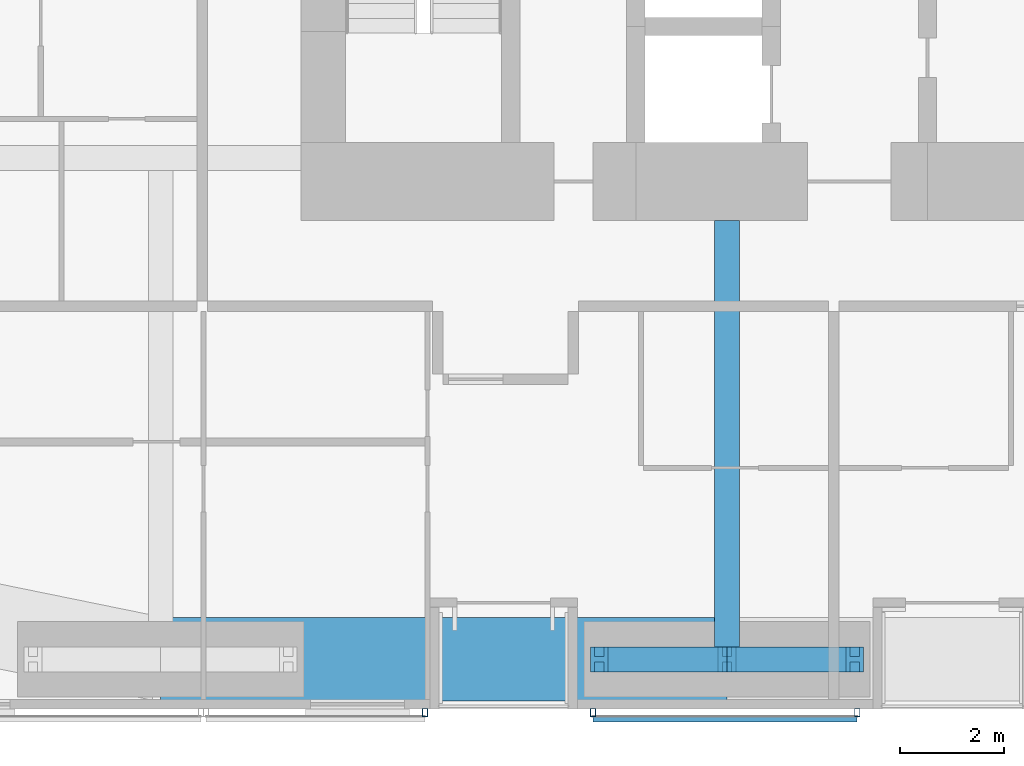
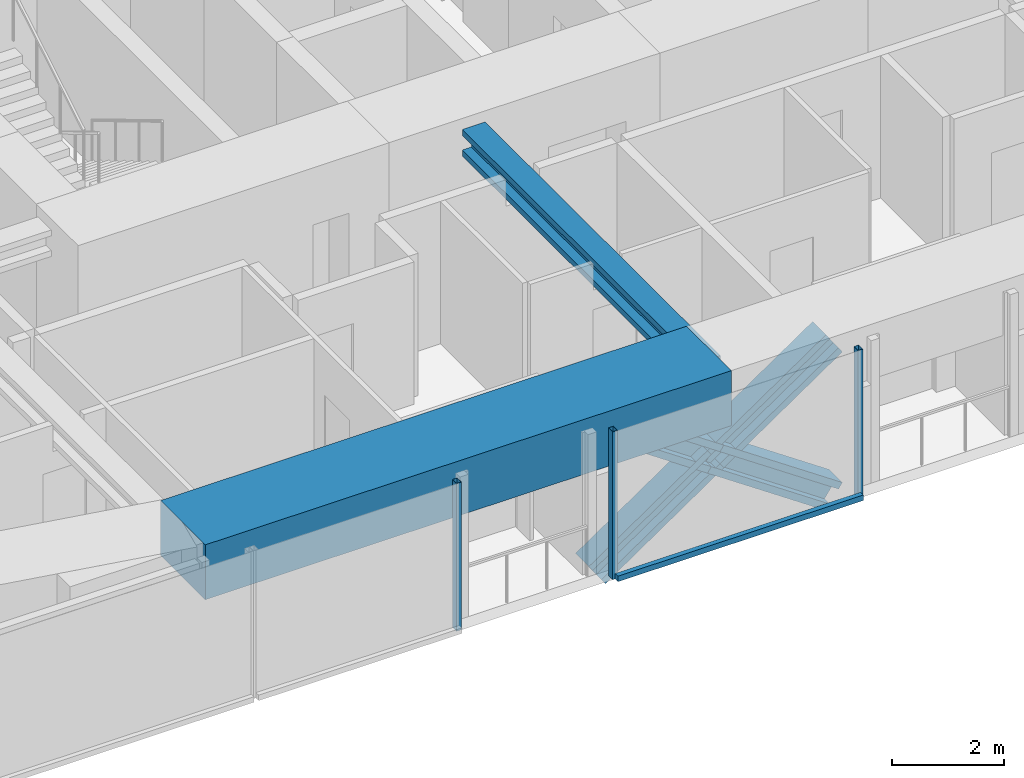
# One storey, part 4 of 23: 8 members, 2 beams, 2 elements without a shape of their own.
"""IFC4 building model written with IfcOpenShell, lengths in metres."""

from ifc_helpers import new_model, si_unit, direction, frame, origin, origin_2d, place, context, subcontext, project, spatial, rectangle, hollow_rectangle, i_section, extrude, material, material_profile, profile_set, type_object, element, aggregate, save


model = new_model("IFC4")

# Units and contexts
model_context = context("Model", 3, precision=1e-05, world=origin(), true_north=direction((0.0, 1.0)))
body_context = subcontext(model_context, "Body", "Model", "MODEL_VIEW")
ifc_project = project(units=[si_unit("LENGTHUNIT", "METRE"), si_unit("AREAUNIT", "SQUARE_METRE"), si_unit("VOLUMEUNIT", "CUBIC_METRE"), si_unit("PLANEANGLEUNIT", "RADIAN"), si_unit("MASSUNIT", "GRAM", prefix="KILO")], contexts=[model_context])

# Site, building, storey
site_placement = place(None, origin())
site = spatial("IfcSite", under=ifc_project, at=site_placement, CompositionType="ELEMENT")
building_placement = place(site_placement, origin())
building = spatial("IfcBuilding", under=site, at=building_placement, Name="Jalousie Tower", CompositionType="ELEMENT")
storey_placement = place(building_placement, frame((0.0, 0.0, 88.10009765625)))
storey = spatial("IfcBuildingStorey", under=building, at=storey_placement, Name="L23", CompositionType="ELEMENT", Elevation=88.10009765625)

# Beam
ifc_material_1 = material(Name="Steel ASTM A992 Grade 50", Category="steel")
ifc_material_profile_1 = material_profile(ifc_material_1, i_section(OverallWidth=0.472412109375, OverallDepth=0.5791015625, WebThickness=0.094970703125, FlangeThickness=0.1298828125, at=origin_2d()), Name="W14X808")
ifc_profile_set_1 = profile_set([ifc_material_profile_1], Name="Steel ASTM A992 Grade 50")
beam_type_1 = type_object("IfcBeamType", Name="LEAN COLLECTOR W14X808", PredefinedType="BEAM", material=ifc_profile_set_1)
beam_1_placement = place(storey_placement, frame((27.75, 0.949951171875, 2.8203125), z_axis=(0.0, 1.0, 0.0), x_axis=(-1.0, 0.0, 0.0)))
element("IfcBeam", 1, at=beam_1_placement, inside=storey, type_object=beam_type_1, Name="Lean collector under L24", PredefinedType="BEAM", context=body_context, shape_type="SweptSolid", body=[
    extrude(i_section(OverallWidth=0.472412109375, OverallDepth=0.5791015625, WebThickness=0.094970703125, FlangeThickness=0.1298828125, at=origin_2d()), origin(), (0.0, 0.0, 1.0), 8.425048828125),
])

# Members
ifc_material_2 = material(Name="Steel ASTM A992 Grade 50", Category="steel")
ifc_material_profile_2 = material_profile(ifc_material_2, i_section(OverallWidth=0.4775390625, OverallDepth=0.599365234375, WebThickness=0.10009765625, FlangeThickness=0.139892578125, at=origin_2d()), Name="W14X873")
ifc_profile_set_2 = profile_set([ifc_material_profile_2], Name="Steel ASTM A992 Grade 50")
member_type_1 = type_object("IfcMemberType", Name="PERIMETER BRACE W14X873", PredefinedType="BRACE", material=ifc_profile_set_2)
for number, where, z_axis, x_axis, name in (
    (2, (25.300048828125, 0.949951171875, -0.60009765625), (0.825500916831, 0.0, 0.564400776321), (0.0, 1.0, 0.0), "Perimeter brace 03 L23 part 1"),
    (3, (27.75, 0.949951171875, 1.074951171875), (0.825500916831, 0.0, 0.564400776321), (0.0, 1.0, 0.0), "Perimeter brace 03 L23 part 2"),
    (4, (30.199951171875, 0.949951171875, -0.60009765625), (-0.825500916831, 0.0, 0.564400776321), (0.0, -1.0, 0.0), "Perimeter brace 03 L23 part 3"),
    (5, (27.75, 0.949951171875, 1.074951171875), (-0.825500916831, 0.0, 0.564400776321), (0.0, -1.0, 0.0), "Perimeter brace 03 L23 part 4"),
):
    element("IfcMember", number, at=place(storey_placement, frame(where, z_axis=z_axis, x_axis=x_axis)), inside=storey, type_object=member_type_1, Name=name, PredefinedType="BRACE", context=body_context, shape_type="SweptSolid", body=[
        extrude(i_section(OverallWidth=0.4775390625, OverallDepth=0.599365234375, WebThickness=0.10009765625, FlangeThickness=0.139892578125, at=origin_2d()), origin(), (0.0, 0.0, 1.0), 2.9677734375),
    ])

# Beam
ifc_material_3 = material(Name="Concrete f'c 40 MPa", Category="concrete")
ifc_material_profile_3 = material_profile(ifc_material_3, rectangle(XDim=1.60009765625, YDim=1.199951171875, at=origin_2d()), Name="RC 1600x1200")
ifc_profile_set_3 = profile_set([ifc_material_profile_3], Name="Concrete f'c 40 MPa")
beam_type_2 = type_object("IfcBeamType", Name="RC BEAM 1600x1200", PredefinedType="BEAM", material=ifc_profile_set_3)
beam_2_placement = place(storey_placement, frame((16.875, 0.949951171875, 2.75), z_axis=(1.0, 0.0, 0.0), x_axis=(0.0, 1.0, 0.0)))
element("IfcBeam", 6, at=beam_2_placement, inside=storey, type_object=beam_type_2, Name="Edge band beam 02-03 under L24", PredefinedType="BEAM", context=body_context, shape_type="SweptSolid", body=[
    extrude(rectangle(XDim=1.60009765625, YDim=1.199951171875, at=origin_2d()), origin(), (0.0, 0.0, 1.0), 10.875),
])

# Curtain wall, member
ifc_material_4 = material(Name="Perforated aluminium sheet", Category="aluminium")
curtain_wall_type = type_object("IfcCurtainWallType", Name="SOLAR SCREEN SS-1", PredefinedType="USERDEFINED", material=ifc_material_4)
curtain_wall_1_placement = place(storey_placement, origin())
curtain_wall_1 = element("IfcCurtainWall", 7, at=curtain_wall_1_placement, inside=storey, type_object=curtain_wall_type, Name="Solar screen L23", ObjectType="SOLAR SCREEN SS-1", PredefinedType="USERDEFINED")
ifc_material_5 = material(Name="Steel ASTM A500 Grade C", Category="steel")
ifc_material_profile_4 = material_profile(ifc_material_5, hollow_rectangle(XDim=0.1015625, YDim=0.15234375, WallThickness=0.00634765625, at=origin_2d()), Name="HSS6X4X1/4")
ifc_profile_set_4 = profile_set([ifc_material_profile_4], Name="Steel ASTM A500 Grade C")
member_type_2 = type_object("IfcMemberType", Name="SOLAR SCREEN SS-1 MULLION", PredefinedType="MULLION", material=ifc_profile_set_4)
member_1_placement = place(storey_placement, frame((21.949951171875, -0.0712890625, -0.1201171875), z_axis=(0.0, 0.0, 1.0), x_axis=(1.0, 0.0, 0.0)))
member_1 = element("IfcMember", 8, at=member_1_placement, type_object=member_type_2, Name="SS1 post 2", PredefinedType="MULLION", context=body_context, shape_type="SweptSolid", body=[
    extrude(hollow_rectangle(XDim=0.1015625, YDim=0.15234375, WallThickness=0.00634765625, at=origin_2d()), origin(), (0.0, 0.0, 1.0), 3.22998046875),
])
aggregate(curtain_wall_1, [member_1])

# Curtain wall, members
curtain_wall_2_placement = place(storey_placement, origin())
curtain_wall_2 = element("IfcCurtainWall", 9, at=curtain_wall_2_placement, inside=storey, type_object=curtain_wall_type, Name="Solar screen L23", ObjectType="SOLAR SCREEN SS-1", PredefinedType="USERDEFINED")
member_2_placement = place(storey_placement, frame((25.175048828125, -0.0712890625, -0.1201171875), z_axis=(0.0, 0.0, 1.0), x_axis=(1.0, 0.0, 0.0)))
member_2 = element("IfcMember", 10, at=member_2_placement, type_object=member_type_2, Name="SS1 post 1", PredefinedType="MULLION", context=body_context, shape_type="SweptSolid", body=[
    extrude(hollow_rectangle(XDim=0.1015625, YDim=0.15234375, WallThickness=0.00634765625, at=origin_2d()), origin(), (0.0, 0.0, 1.0), 3.22998046875),
])
member_3_placement = place(storey_placement, frame((30.25, -0.0712890625, -0.1201171875), z_axis=(0.0, 0.0, 1.0), x_axis=(1.0, 0.0, 0.0)))
member_3 = element("IfcMember", 11, at=member_3_placement, type_object=member_type_2, Name="SS1 post 2", PredefinedType="MULLION", context=body_context, shape_type="SweptSolid", body=[
    extrude(hollow_rectangle(XDim=0.1015625, YDim=0.15234375, WallThickness=0.00634765625, at=origin_2d()), origin(), (0.0, 0.0, 1.0), 3.22998046875),
])
ifc_material_6 = material(Name="Extruded aluminium screen rail", Category="aluminium")
ifc_material_profile_5 = material_profile(ifc_material_6, rectangle(XDim=0.1015625, YDim=0.1201171875, at=origin_2d()), Name="RAIL 102x120")
ifc_profile_set_5 = profile_set([ifc_material_profile_5], Name="Extruded aluminium screen rail")
member_type_3 = type_object("IfcMemberType", Name="SOLAR SCREEN SS-1 TRANSOM", PredefinedType="USERDEFINED", material=ifc_profile_set_5)
member_4_placement = place(storey_placement, frame((25.175048828125, -0.1982421875, -0.06005859375), z_axis=(1.0, 0.0, 0.0), x_axis=(0.0, 1.0, 0.0)))
member_4 = element("IfcMember", 12, at=member_4_placement, type_object=member_type_3, Name="SS1 rail", ObjectType="TRANSOM", PredefinedType="USERDEFINED", context=body_context, shape_type="SweptSolid", body=[
    extrude(rectangle(XDim=0.1015625, YDim=0.1201171875, at=origin_2d()), origin(), (0.0, 0.0, 1.0), 5.074951171875),
])
aggregate(curtain_wall_2, [member_2, member_3, member_4])

save(model, "model.ifc")
